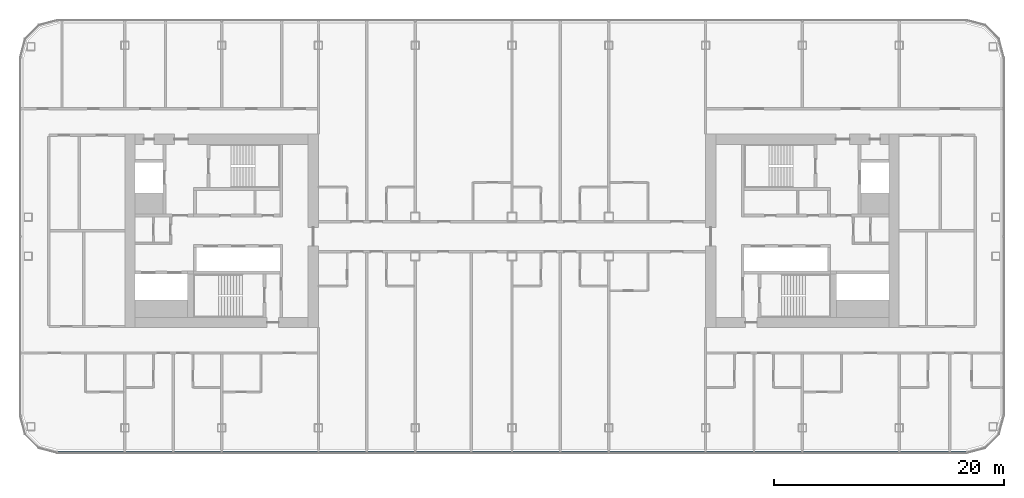
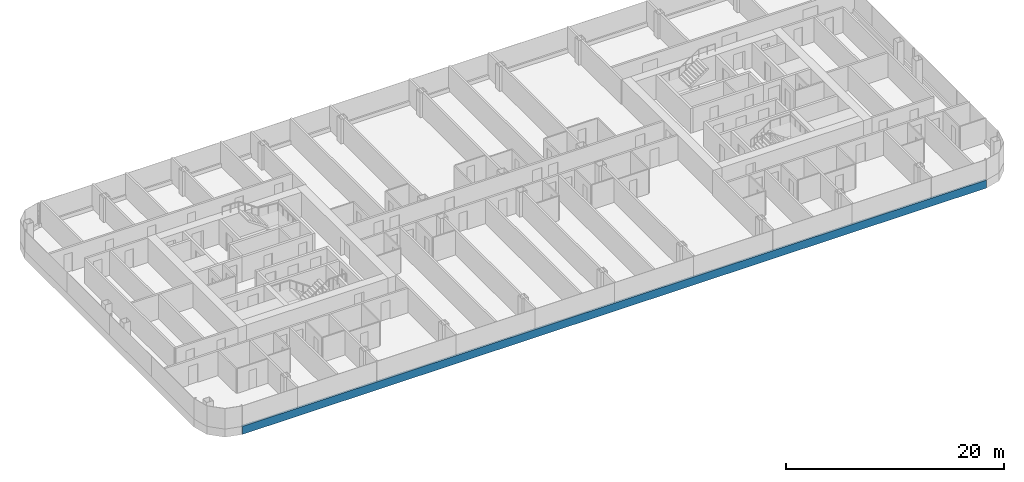
# One storey, part 4 of 26: 1 member, 1 element without a shape of its own.
"""IFC4 building model written with IfcOpenShell, lengths in metres."""

from ifc_helpers import new_model, si_unit, direction, frame, origin, origin_2d, place, context, subcontext, project, spatial, rectangle, extrude, material, layer, layer_set, material_profile, profile_set, type_object, element, aggregate, save


model = new_model("IFC4")

# Units and contexts
model_context = context("Model", 3, precision=1e-05, world=origin(), true_north=direction((0.0, 1.0)))
body_context = subcontext(model_context, "Body", "Model", "MODEL_VIEW")
ifc_project = project(units=[si_unit("LENGTHUNIT", "METRE"), si_unit("AREAUNIT", "SQUARE_METRE"), si_unit("VOLUMEUNIT", "CUBIC_METRE"), si_unit("PLANEANGLEUNIT", "RADIAN"), si_unit("MASSUNIT", "GRAM", prefix="KILO")], contexts=[model_context])

# Site, building, storey
site_placement = place(None, origin())
site = spatial("IfcSite", under=ifc_project, at=site_placement, CompositionType="ELEMENT")
building_placement = place(site_placement, origin())
building = spatial("IfcBuilding", under=site, at=building_placement, Name="Hakoniwa Tower and Hamabe Station Hall", CompositionType="ELEMENT")
storey_placement = place(building_placement, frame((0.0, 0.0, 156.60009765625)))
storey = spatial("IfcBuildingStorey", under=building, at=storey_placement, Name="L44", CompositionType="ELEMENT", Elevation=156.60009765625)

# Curtain wall, member
ifc_material_1 = material(Name="Dark low-e laminated glass", Category="glass")
ifc_layer = layer(ifc_material_1, 0.199951171875)
ifc_layer_set = layer_set([ifc_layer], Name="CW-1 UNITISED GUEST")
curtain_wall_type = type_object("IfcCurtainWallType", Name="CW-1 UNITISED GUEST", PredefinedType="NOTDEFINED", material=ifc_layer_set)
curtain_wall_placement = place(storey_placement, origin())
curtain_wall = element("IfcCurtainWall", 1, at=curtain_wall_placement, inside=storey, type_object=curtain_wall_type, Name="CW-1 curtain wall", PredefinedType="NOTDEFINED")
ifc_material_2 = material(Name="Aluminium 6063-T5 black anodised", Category="aluminium")
ifc_material_profile = material_profile(ifc_material_2, rectangle(XDim=0.199951171875, YDim=0.89990234375, at=origin_2d()), Name="CW SLAB-EDGE BAND 900X200")
ifc_profile_set = profile_set([ifc_material_profile], Name="Aluminium 6063-T5 black anodised")
member_type = type_object("IfcMemberType", Name="CW SLAB-EDGE BAND 900X200", PredefinedType="USERDEFINED", material=ifc_profile_set)
member_placement = place(storey_placement, frame((-39.439453125, -19.199951171875, -0.10009765625), z_axis=(1.0, 0.0, 0.0), x_axis=(0.0, 1.0, 0.0)))
member = element("IfcMember", 2, at=member_placement, type_object=member_type, Name="CW-1 transom", ObjectType="TRANSOM", PredefinedType="USERDEFINED", context=body_context, shape_type="SweptSolid", body=[
    extrude(rectangle(XDim=0.199951171875, YDim=0.89990234375, at=origin_2d()), origin(), (0.0, 0.0, 1.0), 78.87890625),
])
aggregate(curtain_wall, [member])

save(model, "model.ifc")
